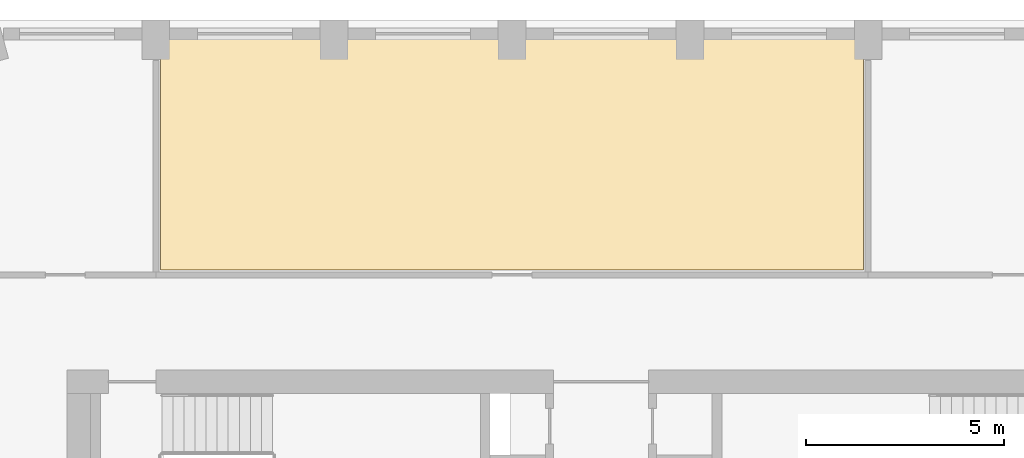
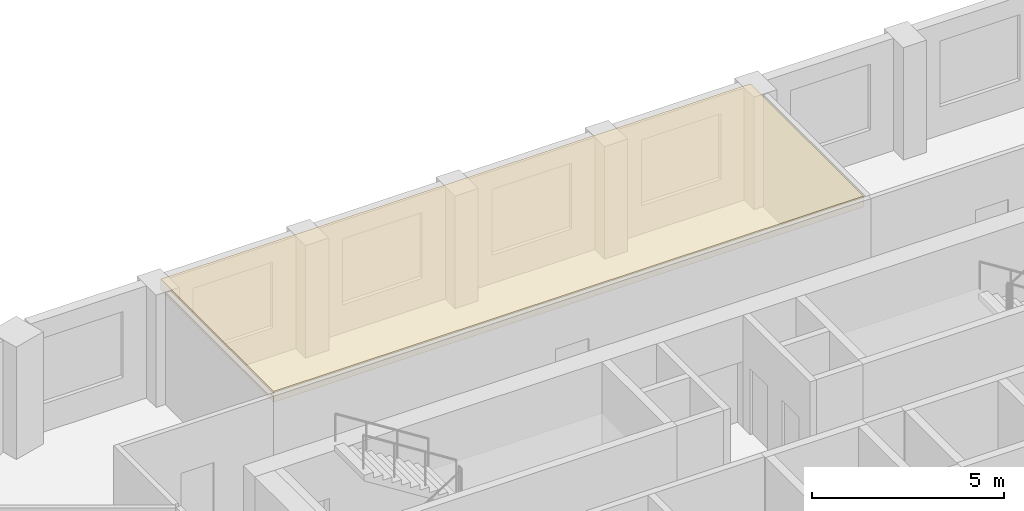
# One storey, part 10 of 10: 1 covering.
"""IFC4 building model written with IfcOpenShell, lengths in metres."""

from ifc_helpers import new_model, si_unit, direction, frame, origin, place, context, subcontext, project, spatial, polyline, outline, extrude, material, layer, layer_set, type_object, element, save


model = new_model("IFC4")

# Units and contexts
model_context = context("Model", 3, precision=1e-05, world=origin(), true_north=direction((0.0, 1.0)))
body_context = subcontext(model_context, "Body", "Model", "MODEL_VIEW")
ifc_project = project(units=[si_unit("LENGTHUNIT", "METRE"), si_unit("AREAUNIT", "SQUARE_METRE"), si_unit("VOLUMEUNIT", "CUBIC_METRE"), si_unit("PLANEANGLEUNIT", "RADIAN"), si_unit("MASSUNIT", "GRAM", prefix="KILO")], contexts=[model_context])

# Site, building, storey
site_placement = place(None, origin())
site = spatial("IfcSite", under=ifc_project, at=site_placement, CompositionType="ELEMENT")
building_placement = place(site_placement, origin())
building = spatial("IfcBuilding", under=site, at=building_placement, Name="Dhurran Vertical Campus", CompositionType="ELEMENT")
storey_placement = place(building_placement, frame((0.0, 0.0, 239.10009765625)))
storey = spatial("IfcBuildingStorey", under=building, at=storey_placement, Name="L59", CompositionType="ELEMENT", Elevation=239.10009765625)

# Covering
ifc_material = material(Name="Mineral fibre ceiling tiles on suspended grid")
ifc_layer = layer(ifc_material, 0.35009765625)
ifc_layer_set = layer_set([ifc_layer], Name="Mineral fibre ceiling tiles on suspended grid")
covering_type = type_object("IfcCoveringType", Name="fl-CE-350 suspended ceiling", PredefinedType="CEILING", material=ifc_layer_set)
covering_placement = place(storey_placement, frame((0.0, 0.0, 3.224853515625)))
element("IfcCovering", 1, at=covering_placement, inside=storey, type_object=covering_type, Name="Ceiling 59-09", PredefinedType="CEILING", context=body_context, shape_type="SweptSolid", body=[
    extrude(outline(polyline([(-11.1298828125, 19.66796875), (6.6298828125, 19.66796875), (6.6298828125, 13.77001953125), (-11.1298828125, 13.77001953125), (-11.1298828125, 19.66796875)])), origin(), (0.0, 0.0, 1.0), 0.35009765625),
])

save(model, "model.ifc")
